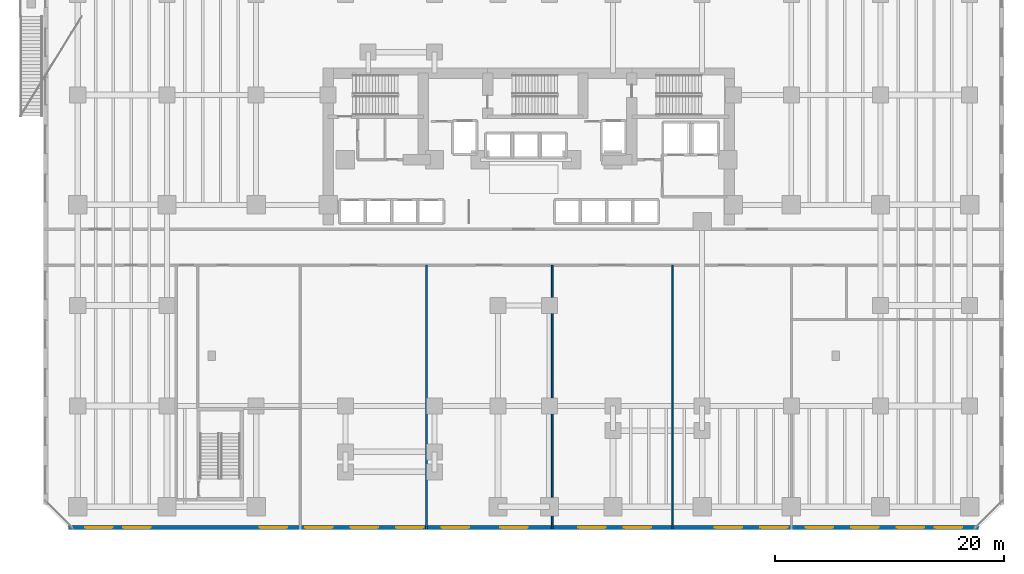
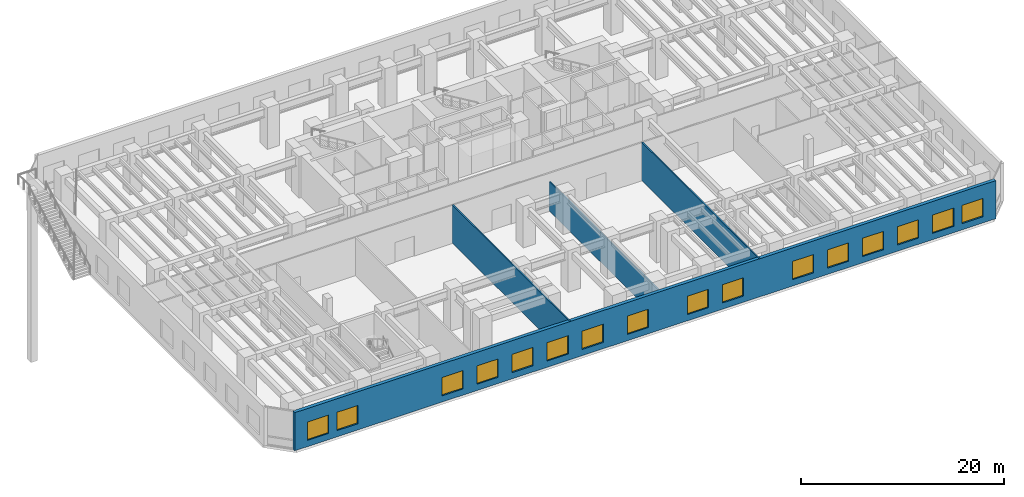
# One storey, part 11 of 20: 16 windows, 4 walls, 16 openings.
"""IFC4 building model written with IfcOpenShell, lengths in metres."""

from ifc_helpers import new_model, si_unit, direction, frame, frame_2d, origin, place, context, subcontext, project, spatial, rectangle, extrude, material, layer, layer_set, type_object, element, fill, save


model = new_model("IFC4")

# Units and contexts
model_context = context("Model", 3, precision=1e-05, world=origin(), true_north=direction((0.0, 1.0)))
body_context = subcontext(model_context, "Body", "Model", "MODEL_VIEW")
ifc_project = project(units=[si_unit("LENGTHUNIT", "METRE"), si_unit("AREAUNIT", "SQUARE_METRE"), si_unit("VOLUMEUNIT", "CUBIC_METRE"), si_unit("PLANEANGLEUNIT", "RADIAN"), si_unit("MASSUNIT", "GRAM", prefix="KILO")], contexts=[model_context])

# Site, building, storey
site_placement = place(None, origin())
site = spatial("IfcSite", under=ifc_project, at=site_placement, CompositionType="ELEMENT")
building_placement = place(site_placement, origin())
building = spatial("IfcBuilding", under=site, at=building_placement, Name="Kestravale Grand Hotel", CompositionType="ELEMENT")
storey_placement = place(building_placement, frame((0.0, 0.0, 15.800048828125)))
storey = spatial("IfcBuildingStorey", under=building, at=storey_placement, Name="L03", CompositionType="ELEMENT", Elevation=15.800048828125)

# Wall, openings, windows
ifc_material_1 = material(Name="Precast concrete f'c 45 MPa", Category="concrete")
ifc_layer_1 = layer(ifc_material_1, 0.3798828125)
ifc_layer_set_1 = layer_set([ifc_layer_1], Name="EW-POD-380")
wall_type_1 = type_object("IfcWallType", Name="EW-POD-380", PredefinedType="SOLIDWALL", material=ifc_layer_set_1)
wall_1_placement = place(storey_placement, frame((-0.7900390625, 0.590087890625, 0.0), z_axis=(0.0, 0.0, 1.0), x_axis=(1.0, 0.0, 0.0)))
wall_1 = element("IfcWall", 1, at=wall_1_placement, inside=storey, type_object=wall_type_1, Name="L03 fluted precast facade wall 1", PredefinedType="SOLIDWALL", context=body_context, shape_type="SweptSolid", body=[
    extrude(rectangle(XDim=79.580078125, YDim=0.3798828125, at=frame_2d((39.7900390625, 0.0))), origin(), (0.0, 0.0, 1.0), 4.579833984375),
])
opening_1_placement = place(wall_1_placement, frame((1.439453125, 0.0, 0.75)))
opening_1 = element("IfcOpeningElement", 2, at=opening_1_placement, cuts=wall_1, Name="Opening W-POD-2400", PredefinedType="OPENING", context=body_context, shape_type="SweptSolid", body=[
    extrude(rectangle(XDim=2.39990234375, YDim=2.199951171875, at=frame_2d((1.199951171875, 1.10009765625))), frame((0.0, 0.199951171875, 0.0), z_axis=(0.0, -1.0, 0.0), x_axis=(1.0, 0.0, 0.0)), (0.0, 0.0, 1.0), 0.39990234375),
])
opening_2_placement = place(wall_1_placement, frame((4.7685546875, 0.0, 0.75)))
opening_2 = element("IfcOpeningElement", 3, at=opening_2_placement, cuts=wall_1, Name="Opening W-POD-2400", PredefinedType="OPENING", context=body_context, shape_type="SweptSolid", body=[
    extrude(rectangle(XDim=2.39990234375, YDim=2.199951171875, at=frame_2d((1.199951171875, 1.10009765625))), frame((0.0, 0.199951171875, 0.0), z_axis=(0.0, -1.0, 0.0), x_axis=(1.0, 0.0, 0.0)), (0.0, 0.0, 1.0), 0.39990234375),
])
opening_3_placement = place(wall_1_placement, frame((16.70556640625, 0.0, 0.75)))
opening_3 = element("IfcOpeningElement", 4, at=opening_3_placement, cuts=wall_1, Name="Opening W-POD-2400", PredefinedType="OPENING", context=body_context, shape_type="SweptSolid", body=[
    extrude(rectangle(XDim=2.39990234375, YDim=2.199951171875, at=frame_2d((1.199951171875, 1.10009765625))), frame((0.0, 0.199951171875, 0.0), z_axis=(0.0, -1.0, 0.0), x_axis=(1.0, 0.0, 0.0)), (0.0, 0.0, 1.0), 0.39990234375),
])
opening_4_placement = place(wall_1_placement, frame((20.6845703125, 0.0, 0.75)))
opening_4 = element("IfcOpeningElement", 5, at=opening_4_placement, cuts=wall_1, Name="Opening W-POD-2400", PredefinedType="OPENING", context=body_context, shape_type="SweptSolid", body=[
    extrude(rectangle(XDim=2.39990234375, YDim=2.199951171875, at=frame_2d((1.199951171875, 1.10009765625))), frame((0.0, 0.199951171875, 0.0), z_axis=(0.0, -1.0, 0.0), x_axis=(1.0, 0.0, 0.0)), (0.0, 0.0, 1.0), 0.39990234375),
])
opening_5_placement = place(wall_1_placement, frame((24.66357421875, 0.0, 0.75)))
opening_5 = element("IfcOpeningElement", 6, at=opening_5_placement, cuts=wall_1, Name="Opening W-POD-2400", PredefinedType="OPENING", context=body_context, shape_type="SweptSolid", body=[
    extrude(rectangle(XDim=2.39990234375, YDim=2.199951171875, at=frame_2d((1.199951171875, 1.10009765625))), frame((0.0, 0.199951171875, 0.0), z_axis=(0.0, -1.0, 0.0), x_axis=(1.0, 0.0, 0.0)), (0.0, 0.0, 1.0), 0.39990234375),
])
opening_6_placement = place(wall_1_placement, frame((28.642578125, 0.0, 0.75)))
opening_6 = element("IfcOpeningElement", 7, at=opening_6_placement, cuts=wall_1, Name="Opening W-POD-2400", PredefinedType="OPENING", context=body_context, shape_type="SweptSolid", body=[
    extrude(rectangle(XDim=2.39990234375, YDim=2.199951171875, at=frame_2d((1.199951171875, 1.10009765625))), frame((0.0, 0.199951171875, 0.0), z_axis=(0.0, -1.0, 0.0), x_axis=(1.0, 0.0, 0.0)), (0.0, 0.0, 1.0), 0.39990234375),
])
opening_7_placement = place(wall_1_placement, frame((32.62158203125, 0.0, 0.75)))
opening_7 = element("IfcOpeningElement", 8, at=opening_7_placement, cuts=wall_1, Name="Opening W-POD-2400", PredefinedType="OPENING", context=body_context, shape_type="SweptSolid", body=[
    extrude(rectangle(XDim=2.39990234375, YDim=2.199951171875, at=frame_2d((1.199951171875, 1.10009765625))), frame((0.0, 0.199951171875, 0.0), z_axis=(0.0, -1.0, 0.0), x_axis=(1.0, 0.0, 0.0)), (0.0, 0.0, 1.0), 0.39990234375),
])
opening_8_placement = place(wall_1_placement, frame((37.75048828125, 0.0, 0.75)))
opening_8 = element("IfcOpeningElement", 9, at=opening_8_placement, cuts=wall_1, Name="Opening W-POD-2400", PredefinedType="OPENING", context=body_context, shape_type="SweptSolid", body=[
    extrude(rectangle(XDim=2.39990234375, YDim=2.199951171875, at=frame_2d((1.199951171875, 1.10009765625))), frame((0.0, 0.199951171875, 0.0), z_axis=(0.0, -1.0, 0.0), x_axis=(1.0, 0.0, 0.0)), (0.0, 0.0, 1.0), 0.39990234375),
])
opening_9_placement = place(wall_1_placement, frame((44.55859375, 0.0, 0.75)))
opening_9 = element("IfcOpeningElement", 10, at=opening_9_placement, cuts=wall_1, Name="Opening W-POD-2400", PredefinedType="OPENING", context=body_context, shape_type="SweptSolid", body=[
    extrude(rectangle(XDim=2.39990234375, YDim=2.199951171875, at=frame_2d((1.199951171875, 1.10009765625))), frame((0.0, 0.199951171875, 0.0), z_axis=(0.0, -1.0, 0.0), x_axis=(1.0, 0.0, 0.0)), (0.0, 0.0, 1.0), 0.39990234375),
])
opening_10_placement = place(wall_1_placement, frame((48.53759765625, 0.0, 0.75)))
opening_10 = element("IfcOpeningElement", 11, at=opening_10_placement, cuts=wall_1, Name="Opening W-POD-2400", PredefinedType="OPENING", context=body_context, shape_type="SweptSolid", body=[
    extrude(rectangle(XDim=2.39990234375, YDim=2.199951171875, at=frame_2d((1.199951171875, 1.10009765625))), frame((0.0, 0.199951171875, 0.0), z_axis=(0.0, -1.0, 0.0), x_axis=(1.0, 0.0, 0.0)), (0.0, 0.0, 1.0), 0.39990234375),
])
opening_11_placement = place(wall_1_placement, frame((56.49560546875, 0.0, 0.75)))
opening_11 = element("IfcOpeningElement", 12, at=opening_11_placement, cuts=wall_1, Name="Opening W-POD-2400", PredefinedType="OPENING", context=body_context, shape_type="SweptSolid", body=[
    extrude(rectangle(XDim=2.39990234375, YDim=2.199951171875, at=frame_2d((1.199951171875, 1.10009765625))), frame((0.0, 0.199951171875, 0.0), z_axis=(0.0, -1.0, 0.0), x_axis=(1.0, 0.0, 0.0)), (0.0, 0.0, 1.0), 0.39990234375),
])
opening_12_placement = place(wall_1_placement, frame((60.474609375, 0.0, 0.75)))
opening_12 = element("IfcOpeningElement", 13, at=opening_12_placement, cuts=wall_1, Name="Opening W-POD-2400", PredefinedType="OPENING", context=body_context, shape_type="SweptSolid", body=[
    extrude(rectangle(XDim=2.39990234375, YDim=2.199951171875, at=frame_2d((1.199951171875, 1.10009765625))), frame((0.0, 0.199951171875, 0.0), z_axis=(0.0, -1.0, 0.0), x_axis=(1.0, 0.0, 0.0)), (0.0, 0.0, 1.0), 0.39990234375),
])
opening_13_placement = place(wall_1_placement, frame((64.45361328125, 0.0, 0.75)))
opening_13 = element("IfcOpeningElement", 14, at=opening_13_placement, cuts=wall_1, Name="Opening W-POD-2400", PredefinedType="OPENING", context=body_context, shape_type="SweptSolid", body=[
    extrude(rectangle(XDim=2.39990234375, YDim=2.199951171875, at=frame_2d((1.199951171875, 1.10009765625))), frame((0.0, 0.199951171875, 0.0), z_axis=(0.0, -1.0, 0.0), x_axis=(1.0, 0.0, 0.0)), (0.0, 0.0, 1.0), 0.39990234375),
])
opening_14_placement = place(wall_1_placement, frame((68.4326171875, 0.0, 0.75)))
opening_14 = element("IfcOpeningElement", 15, at=opening_14_placement, cuts=wall_1, Name="Opening W-POD-2400", PredefinedType="OPENING", context=body_context, shape_type="SweptSolid", body=[
    extrude(rectangle(XDim=2.39990234375, YDim=2.199951171875, at=frame_2d((1.199951171875, 1.10009765625))), frame((0.0, 0.199951171875, 0.0), z_axis=(0.0, -1.0, 0.0), x_axis=(1.0, 0.0, 0.0)), (0.0, 0.0, 1.0), 0.39990234375),
])
opening_15_placement = place(wall_1_placement, frame((72.41162109375, 0.0, 0.75)))
opening_15 = element("IfcOpeningElement", 16, at=opening_15_placement, cuts=wall_1, Name="Opening W-POD-2400", PredefinedType="OPENING", context=body_context, shape_type="SweptSolid", body=[
    extrude(rectangle(XDim=2.39990234375, YDim=2.199951171875, at=frame_2d((1.199951171875, 1.10009765625))), frame((0.0, 0.199951171875, 0.0), z_axis=(0.0, -1.0, 0.0), x_axis=(1.0, 0.0, 0.0)), (0.0, 0.0, 1.0), 0.39990234375),
])
opening_16_placement = place(wall_1_placement, frame((75.740478515625, 0.0, 0.75)))
opening_16 = element("IfcOpeningElement", 17, at=opening_16_placement, cuts=wall_1, Name="Opening W-POD-2400", PredefinedType="OPENING", context=body_context, shape_type="SweptSolid", body=[
    extrude(rectangle(XDim=2.39990234375, YDim=2.199951171875, at=frame_2d((1.199951171875, 1.10009765625))), frame((0.0, 0.199951171875, 0.0), z_axis=(0.0, -1.0, 0.0), x_axis=(1.0, 0.0, 0.0)), (0.0, 0.0, 1.0), 0.39990234375),
])
ifc_material_2 = material(Name="Insulated low-E double glazing in aluminium frame", Category="aluminium")
window_type = type_object("IfcWindowType", Name="W-POD-2400", PartitioningType="DOUBLE_PANEL_VERTICAL", PredefinedType="WINDOW", material=ifc_material_2)
window_1_placement = place(opening_1_placement, origin())
window_1 = element("IfcWindow", 18, at=window_1_placement, inside=storey, type_object=window_type, Name="L03 exterior window 1.1", OverallHeight=2.199951171875, OverallWidth=2.39990234375, PartitioningType="SINGLE_PANEL", PredefinedType="WINDOW", context=body_context, shape_type="SweptSolid", body=[
    extrude(rectangle(XDim=2.39990234375, YDim=2.199951171875, at=frame_2d((1.199951171875, 1.10009765625))), frame((0.0, 0.030029296875, 0.0), z_axis=(0.0, -1.0, 0.0), x_axis=(1.0, 0.0, 0.0)), (0.0, 0.0, 1.0), 0.06005859375),
])
fill(opening_1, window_1)
window_2_placement = place(opening_2_placement, origin())
window_2 = element("IfcWindow", 19, at=window_2_placement, inside=storey, type_object=window_type, Name="L03 exterior window 1.2", OverallHeight=2.199951171875, OverallWidth=2.39990234375, PartitioningType="SINGLE_PANEL", PredefinedType="WINDOW", context=body_context, shape_type="SweptSolid", body=[
    extrude(rectangle(XDim=2.39990234375, YDim=2.199951171875, at=frame_2d((1.199951171875, 1.10009765625))), frame((0.0, 0.030029296875, 0.0), z_axis=(0.0, -1.0, 0.0), x_axis=(1.0, 0.0, 0.0)), (0.0, 0.0, 1.0), 0.06005859375),
])
fill(opening_2, window_2)
window_3_placement = place(opening_3_placement, origin())
window_3 = element("IfcWindow", 20, at=window_3_placement, inside=storey, type_object=window_type, Name="L03 exterior window 1.3", OverallHeight=2.199951171875, OverallWidth=2.39990234375, PartitioningType="SINGLE_PANEL", PredefinedType="WINDOW", context=body_context, shape_type="SweptSolid", body=[
    extrude(rectangle(XDim=2.39990234375, YDim=2.199951171875, at=frame_2d((1.199951171875, 1.10009765625))), frame((0.0, 0.030029296875, 0.0), z_axis=(0.0, -1.0, 0.0), x_axis=(1.0, 0.0, 0.0)), (0.0, 0.0, 1.0), 0.06005859375),
])
fill(opening_3, window_3)
window_4_placement = place(opening_4_placement, origin())
window_4 = element("IfcWindow", 21, at=window_4_placement, inside=storey, type_object=window_type, Name="L03 exterior window 1.4", OverallHeight=2.199951171875, OverallWidth=2.39990234375, PartitioningType="SINGLE_PANEL", PredefinedType="WINDOW", context=body_context, shape_type="SweptSolid", body=[
    extrude(rectangle(XDim=2.39990234375, YDim=2.199951171875, at=frame_2d((1.199951171875, 1.10009765625))), frame((0.0, 0.030029296875, 0.0), z_axis=(0.0, -1.0, 0.0), x_axis=(1.0, 0.0, 0.0)), (0.0, 0.0, 1.0), 0.06005859375),
])
fill(opening_4, window_4)
window_5_placement = place(opening_5_placement, origin())
window_5 = element("IfcWindow", 22, at=window_5_placement, inside=storey, type_object=window_type, Name="L03 exterior window 1.5", OverallHeight=2.199951171875, OverallWidth=2.39990234375, PartitioningType="SINGLE_PANEL", PredefinedType="WINDOW", context=body_context, shape_type="SweptSolid", body=[
    extrude(rectangle(XDim=2.39990234375, YDim=2.199951171875, at=frame_2d((1.199951171875, 1.10009765625))), frame((0.0, 0.030029296875, 0.0), z_axis=(0.0, -1.0, 0.0), x_axis=(1.0, 0.0, 0.0)), (0.0, 0.0, 1.0), 0.06005859375),
])
fill(opening_5, window_5)
window_6_placement = place(opening_6_placement, origin())
window_6 = element("IfcWindow", 23, at=window_6_placement, inside=storey, type_object=window_type, Name="L03 exterior window 1.6", OverallHeight=2.199951171875, OverallWidth=2.39990234375, PartitioningType="SINGLE_PANEL", PredefinedType="WINDOW", context=body_context, shape_type="SweptSolid", body=[
    extrude(rectangle(XDim=2.39990234375, YDim=2.199951171875, at=frame_2d((1.199951171875, 1.10009765625))), frame((0.0, 0.030029296875, 0.0), z_axis=(0.0, -1.0, 0.0), x_axis=(1.0, 0.0, 0.0)), (0.0, 0.0, 1.0), 0.06005859375),
])
fill(opening_6, window_6)
window_7_placement = place(opening_7_placement, origin())
window_7 = element("IfcWindow", 24, at=window_7_placement, inside=storey, type_object=window_type, Name="L03 exterior window 1.7", OverallHeight=2.199951171875, OverallWidth=2.39990234375, PartitioningType="SINGLE_PANEL", PredefinedType="WINDOW", context=body_context, shape_type="SweptSolid", body=[
    extrude(rectangle(XDim=2.39990234375, YDim=2.199951171875, at=frame_2d((1.199951171875, 1.10009765625))), frame((0.0, 0.030029296875, 0.0), z_axis=(0.0, -1.0, 0.0), x_axis=(1.0, 0.0, 0.0)), (0.0, 0.0, 1.0), 0.06005859375),
])
fill(opening_7, window_7)
window_8_placement = place(opening_8_placement, origin())
window_8 = element("IfcWindow", 25, at=window_8_placement, inside=storey, type_object=window_type, Name="L03 exterior window 1.8", OverallHeight=2.199951171875, OverallWidth=2.39990234375, PartitioningType="SINGLE_PANEL", PredefinedType="WINDOW", context=body_context, shape_type="SweptSolid", body=[
    extrude(rectangle(XDim=2.39990234375, YDim=2.199951171875, at=frame_2d((1.199951171875, 1.10009765625))), frame((0.0, 0.030029296875, 0.0), z_axis=(0.0, -1.0, 0.0), x_axis=(1.0, 0.0, 0.0)), (0.0, 0.0, 1.0), 0.06005859375),
])
fill(opening_8, window_8)
window_9_placement = place(opening_9_placement, origin())
window_9 = element("IfcWindow", 26, at=window_9_placement, inside=storey, type_object=window_type, Name="L03 exterior window 1.9", OverallHeight=2.199951171875, OverallWidth=2.39990234375, PartitioningType="SINGLE_PANEL", PredefinedType="WINDOW", context=body_context, shape_type="SweptSolid", body=[
    extrude(rectangle(XDim=2.39990234375, YDim=2.199951171875, at=frame_2d((1.199951171875, 1.10009765625))), frame((0.0, 0.030029296875, 0.0), z_axis=(0.0, -1.0, 0.0), x_axis=(1.0, 0.0, 0.0)), (0.0, 0.0, 1.0), 0.06005859375),
])
fill(opening_9, window_9)
window_10_placement = place(opening_10_placement, origin())
window_10 = element("IfcWindow", 27, at=window_10_placement, inside=storey, type_object=window_type, Name="L03 exterior window 1.10", OverallHeight=2.199951171875, OverallWidth=2.39990234375, PartitioningType="SINGLE_PANEL", PredefinedType="WINDOW", context=body_context, shape_type="SweptSolid", body=[
    extrude(rectangle(XDim=2.39990234375, YDim=2.199951171875, at=frame_2d((1.199951171875, 1.10009765625))), frame((0.0, 0.030029296875, 0.0), z_axis=(0.0, -1.0, 0.0), x_axis=(1.0, 0.0, 0.0)), (0.0, 0.0, 1.0), 0.06005859375),
])
fill(opening_10, window_10)
window_11_placement = place(opening_11_placement, origin())
window_11 = element("IfcWindow", 28, at=window_11_placement, inside=storey, type_object=window_type, Name="L03 exterior window 1.11", OverallHeight=2.199951171875, OverallWidth=2.39990234375, PartitioningType="SINGLE_PANEL", PredefinedType="WINDOW", context=body_context, shape_type="SweptSolid", body=[
    extrude(rectangle(XDim=2.39990234375, YDim=2.199951171875, at=frame_2d((1.199951171875, 1.10009765625))), frame((0.0, 0.030029296875, 0.0), z_axis=(0.0, -1.0, 0.0), x_axis=(1.0, 0.0, 0.0)), (0.0, 0.0, 1.0), 0.06005859375),
])
fill(opening_11, window_11)
window_12_placement = place(opening_12_placement, origin())
window_12 = element("IfcWindow", 29, at=window_12_placement, inside=storey, type_object=window_type, Name="L03 exterior window 1.12", OverallHeight=2.199951171875, OverallWidth=2.39990234375, PartitioningType="SINGLE_PANEL", PredefinedType="WINDOW", context=body_context, shape_type="SweptSolid", body=[
    extrude(rectangle(XDim=2.39990234375, YDim=2.199951171875, at=frame_2d((1.199951171875, 1.10009765625))), frame((0.0, 0.030029296875, 0.0), z_axis=(0.0, -1.0, 0.0), x_axis=(1.0, 0.0, 0.0)), (0.0, 0.0, 1.0), 0.06005859375),
])
fill(opening_12, window_12)
window_13_placement = place(opening_13_placement, origin())
window_13 = element("IfcWindow", 30, at=window_13_placement, inside=storey, type_object=window_type, Name="L03 exterior window 1.13", OverallHeight=2.199951171875, OverallWidth=2.39990234375, PartitioningType="SINGLE_PANEL", PredefinedType="WINDOW", context=body_context, shape_type="SweptSolid", body=[
    extrude(rectangle(XDim=2.39990234375, YDim=2.199951171875, at=frame_2d((1.199951171875, 1.10009765625))), frame((0.0, 0.030029296875, 0.0), z_axis=(0.0, -1.0, 0.0), x_axis=(1.0, 0.0, 0.0)), (0.0, 0.0, 1.0), 0.06005859375),
])
fill(opening_13, window_13)
window_14_placement = place(opening_14_placement, origin())
window_14 = element("IfcWindow", 31, at=window_14_placement, inside=storey, type_object=window_type, Name="L03 exterior window 1.14", OverallHeight=2.199951171875, OverallWidth=2.39990234375, PartitioningType="SINGLE_PANEL", PredefinedType="WINDOW", context=body_context, shape_type="SweptSolid", body=[
    extrude(rectangle(XDim=2.39990234375, YDim=2.199951171875, at=frame_2d((1.199951171875, 1.10009765625))), frame((0.0, 0.030029296875, 0.0), z_axis=(0.0, -1.0, 0.0), x_axis=(1.0, 0.0, 0.0)), (0.0, 0.0, 1.0), 0.06005859375),
])
fill(opening_14, window_14)
window_15_placement = place(opening_15_placement, origin())
window_15 = element("IfcWindow", 32, at=window_15_placement, inside=storey, type_object=window_type, Name="L03 exterior window 1.15", OverallHeight=2.199951171875, OverallWidth=2.39990234375, PartitioningType="SINGLE_PANEL", PredefinedType="WINDOW", context=body_context, shape_type="SweptSolid", body=[
    extrude(rectangle(XDim=2.39990234375, YDim=2.199951171875, at=frame_2d((1.199951171875, 1.10009765625))), frame((0.0, 0.030029296875, 0.0), z_axis=(0.0, -1.0, 0.0), x_axis=(1.0, 0.0, 0.0)), (0.0, 0.0, 1.0), 0.06005859375),
])
fill(opening_15, window_15)
window_16_placement = place(opening_16_placement, origin())
window_16 = element("IfcWindow", 33, at=window_16_placement, inside=storey, type_object=window_type, Name="L03 exterior window 1.16", OverallHeight=2.199951171875, OverallWidth=2.39990234375, PartitioningType="SINGLE_PANEL", PredefinedType="WINDOW", context=body_context, shape_type="SweptSolid", body=[
    extrude(rectangle(XDim=2.39990234375, YDim=2.199951171875, at=frame_2d((1.199951171875, 1.10009765625))), frame((0.0, 0.030029296875, 0.0), z_axis=(0.0, -1.0, 0.0), x_axis=(1.0, 0.0, 0.0)), (0.0, 0.0, 1.0), 0.06005859375),
])
fill(opening_16, window_16)

# Walls
ifc_material_3 = material(Name="Double-stud STC 52 acoustic demising partition", Category="other")
ifc_layer_2 = layer(ifc_material_3, 0.14990234375)
ifc_layer_set_2 = layer_set([ifc_layer_2], Name="IW-UNIT-150")
wall_type_2 = type_object("IfcWallType", Name="IW-UNIT-150", PredefinedType="PARTITIONING", material=ifc_layer_set_2)
wall_2_placement = place(storey_placement, frame((30.5, 0.419921875, 0.0), z_axis=(0.0, 0.0, 1.0), x_axis=(0.0, 1.0, 0.0)))
element("IfcWall", 34, at=wall_2_placement, inside=storey, type_object=wall_type_2, Name="W-L03-SD-1", PredefinedType="PARTITIONING", context=body_context, shape_type="SweptSolid", body=[
    extrude(rectangle(XDim=23.10009765625, YDim=0.14990234375, at=frame_2d((11.550048828125, 0.0))), origin(), (0.0, 0.0, 1.0), 4.579833984375),
])
wall_3_placement = place(storey_placement, frame((41.5, 0.419921875, 0.0), z_axis=(0.0, 0.0, 1.0), x_axis=(0.0, 1.0, 0.0)))
element("IfcWall", 35, at=wall_3_placement, inside=storey, type_object=wall_type_2, Name="W-L03-SD-2", PredefinedType="PARTITIONING", context=body_context, shape_type="SweptSolid", body=[
    extrude(rectangle(XDim=23.10009765625, YDim=0.14990234375, at=frame_2d((11.550048828125, 0.0))), origin(), (0.0, 0.0, 1.0), 3.5400390625),
])
wall_4_placement = place(storey_placement, frame((52.0, 0.419921875, 0.0), z_axis=(0.0, 0.0, 1.0), x_axis=(0.0, 1.0, 0.0)))
element("IfcWall", 36, at=wall_4_placement, inside=storey, type_object=wall_type_2, Name="W-L03-SD-3", PredefinedType="PARTITIONING", context=body_context, shape_type="SweptSolid", body=[
    extrude(rectangle(XDim=23.10009765625, YDim=0.14990234375, at=frame_2d((11.550048828125, 0.0))), origin(), (0.0, 0.0, 1.0), 4.579833984375),
])

save(model, "model.ifc")
